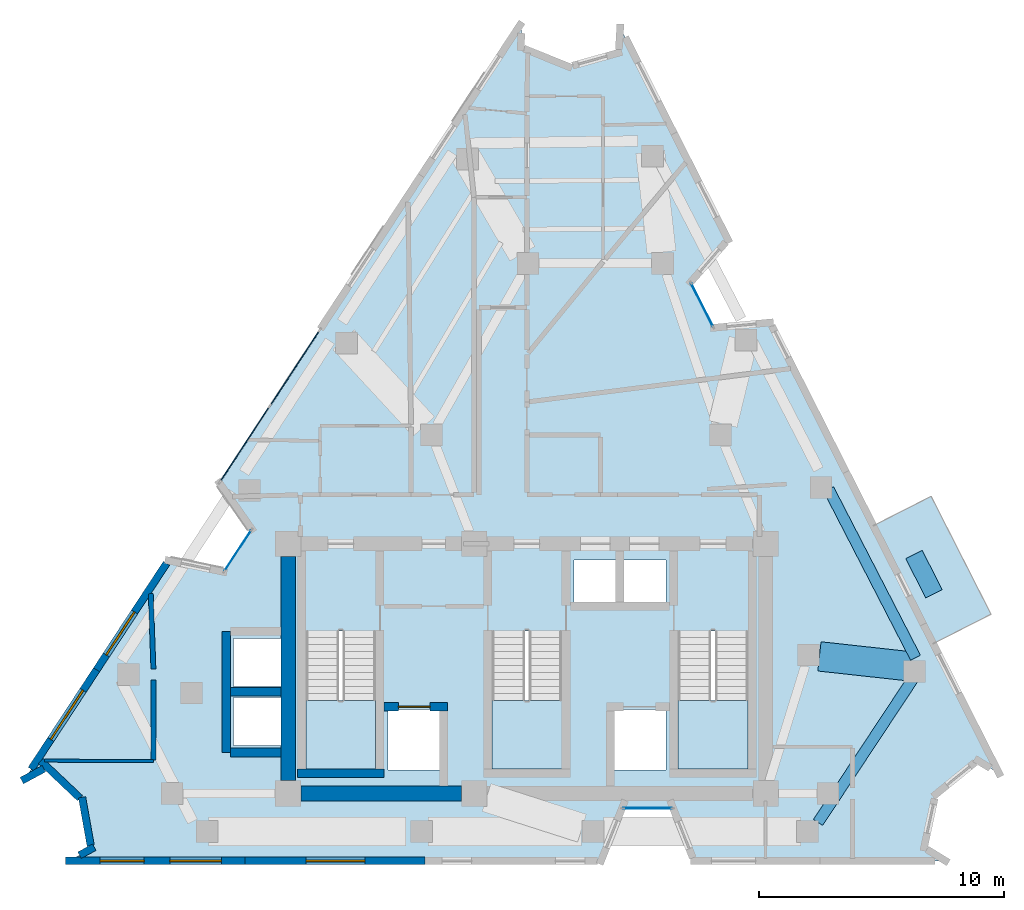
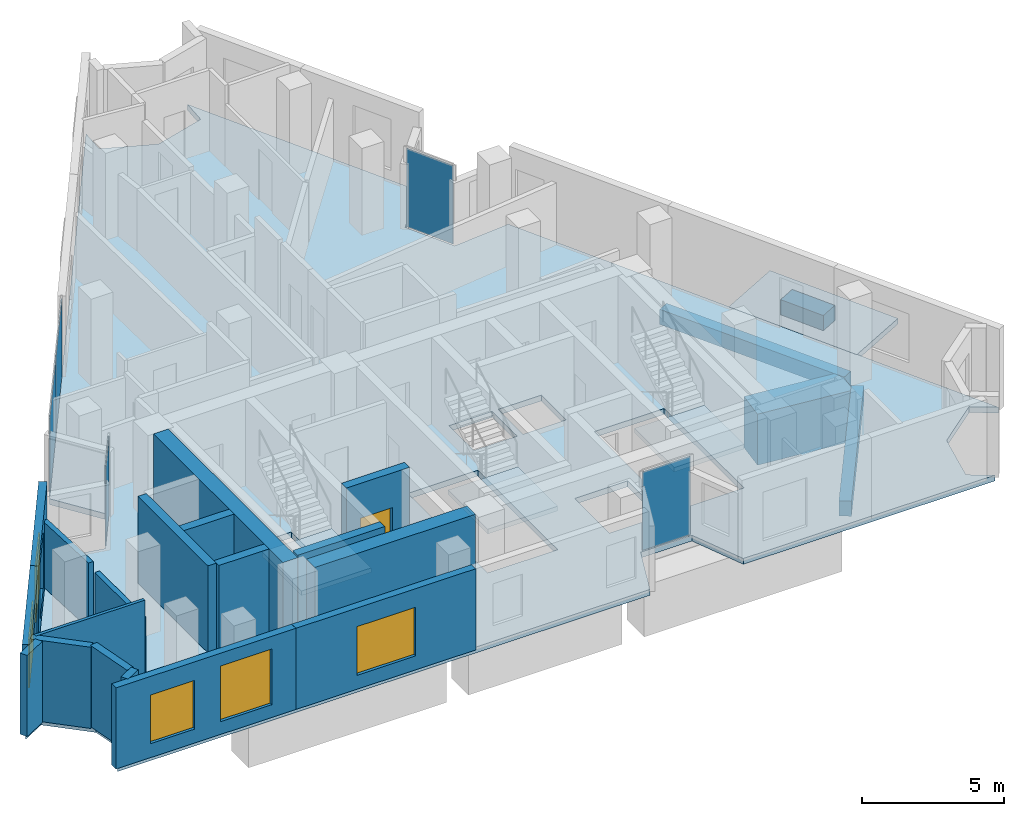
# One storey, part 4 of 10: 18 walls, 6 plates, 5 slabs, 5 windows, 3 beams, 1 door, 6 openings, 7 elements without a shape of their own.
"""IFC4 building model written with IfcOpenShell, lengths in metres."""

import ifcopenshell
import ifcopenshell.guid

model = None  # the IFC model being written
_history = None  # IfcOwnerHistory: only IFC2X3 demands one
_inside = {}  # id of a spatial element -> (the spatial element, [elements in it])
_under = {}  # id of a project, library or spatial element -> (it, [spatial elements below it])
_declared = {}  # id of a project -> (the project, [libraries it declares])
_typed = {}  # id of a type object -> (the type object, [elements of that type])
_made_of = {}  # id of a material, layer set ... -> (it, [elements and type objects made of it])


def new_model(schema):
    """Start an empty IFC model of exactly this schema.

    Asked for "IFC4X3", IfcOpenShell would pick the latest addendum, in which some entities
    have other attributes; the version numbers below select the first issue.
    IFC2X3 requires an IfcOwnerHistory on every rooted entity: one is made here for all.
    """
    global model, _history
    if schema == "IFC4X3":
        model = ifcopenshell.file(schema_version=(4, 3, 0, 0))
    else:
        model = ifcopenshell.file(schema=schema)
    _inside.clear()
    _under.clear()
    _declared.clear()
    _typed.clear()
    _made_of.clear()
    _history = None
    if model.schema == "IFC2X3":
        org = make("IfcOrganization", Name="unknown")
        user = make(
            "IfcPersonAndOrganization",
            ThePerson=make("IfcPerson", FamilyName="unknown"),
            TheOrganization=org,
        )
        app = make(
            "IfcApplication",
            ApplicationDeveloper=org,
            Version="unknown",
            ApplicationFullName="unknown",
            ApplicationIdentifier="unknown",
        )
        _history = make(
            "IfcOwnerHistory",
            OwningUser=user,
            OwningApplication=app,
            ChangeAction="ADDED",
            CreationDate=0,
        )
    return model


def make(cls, **values):
    """One entity of the class cls with the attributes given. An attribute that is None is left unset."""
    return model.create_entity(
        cls, **{name: value for name, value in values.items() if value is not None}
    )


def rooted(cls, **values):
    """An entity with a GlobalId (a new one), such as an element, a storey or a relation."""
    return make(cls, GlobalId=ifcopenshell.guid.new(), OwnerHistory=_history, **values)


def si_unit(unit_type, name, prefix=None):
    """IfcSIUnit, for example si_unit("LENGTHUNIT", "METRE", prefix="MILLI")."""
    return make("IfcSIUnit", UnitType=unit_type, Prefix=prefix, Name=name)


def assignment(units):
    """IfcUnitAssignment: the units of a project."""
    return None if units is None else make("IfcUnitAssignment", Units=units)


def point(xyz):
    """IfcCartesianPoint."""
    return None if xyz is None else make("IfcCartesianPoint", Coordinates=xyz)


def direction(xyz):
    """IfcDirection."""
    return None if xyz is None else make("IfcDirection", DirectionRatios=xyz)


def frame(location, z_axis=None, x_axis=None):
    """IfcAxis2Placement3D, a coordinate frame: its origin and axes. An axis left out is left unset."""
    return make(
        "IfcAxis2Placement3D",
        Location=point(location),
        Axis=direction(z_axis),
        RefDirection=direction(x_axis),
    )


def frame_2d(location, x_axis=None):
    """IfcAxis2Placement2D, a coordinate frame in the plane: its origin and x axis."""
    return make(
        "IfcAxis2Placement2D", Location=point(location), RefDirection=direction(x_axis)
    )


def origin():
    """The frame at (0, 0, 0) with its axes left unset."""
    return frame((0.0, 0.0, 0.0))


def origin_2d():
    """The frame at (0, 0) in the plane with its x axis left unset."""
    return frame_2d((0.0, 0.0))


def place(relative_to, where):
    """IfcLocalPlacement: puts the frame where relative to a parent placement (None: the world)."""
    return make(
        "IfcLocalPlacement", PlacementRelTo=relative_to, RelativePlacement=where
    )


def context(
    kind, dimensions, precision=None, world=None, true_north=None, identifier=None
):
    """IfcGeometricRepresentationContext, for example the 3D "Model" context."""
    return make(
        "IfcGeometricRepresentationContext",
        ContextIdentifier=identifier,
        ContextType=kind,
        CoordinateSpaceDimension=dimensions,
        Precision=precision,
        WorldCoordinateSystem=world,
        TrueNorth=true_north,
    )


def subcontext(parent, identifier, kind, view, scale=None):
    """IfcGeometricRepresentationSubContext, for example "Body" below "Model"."""
    return make(
        "IfcGeometricRepresentationSubContext",
        ContextIdentifier=identifier,
        ContextType=kind,
        ParentContext=parent,
        TargetScale=scale,
        TargetView=view,
    )


def project(units=None, contexts=None):
    """IfcProject with its units and contexts."""
    return rooted(
        "IfcProject",
        Name="project",
        RepresentationContexts=contexts,
        UnitsInContext=assignment(units),
    )


def spatial(cls, under=None, at=None, **own):
    """A site, building, storey or space (cls), placed at a placement, below another one or the project."""
    s = rooted(cls, ObjectPlacement=at, **own)
    if under is not None:
        _under.setdefault(under.id(), (under, []))[1].append(s)
    return s


def polyline(points):
    """IfcPolyline through the points."""
    return make("IfcPolyline", Points=[point(p) for p in points])


def profile(cls, at=None, kind="AREA", **sizes):
    """A parametric profile (cls). Its sizes go by their IFC names, for example OverallWidth=200.0."""
    return make(cls, ProfileType=kind, Position=at, **sizes)


def rectangle(**sizes):
    """IfcRectangleProfileDef."""
    return profile("IfcRectangleProfileDef", **sizes)


def outline(outer, holes=None, kind="AREA"):
    """IfcArbitraryClosedProfileDef: a profile drawn as a closed curve; with holes, ...WithVoids."""
    if holes is None:
        return make("IfcArbitraryClosedProfileDef", ProfileType=kind, OuterCurve=outer)
    return make(
        "IfcArbitraryProfileDefWithVoids",
        ProfileType=kind,
        OuterCurve=outer,
        InnerCurves=holes,
    )


def extrude(swept, where, along, depth):
    """IfcExtrudedAreaSolid: the profile swept, set in the frame where, extruded along a direction by depth."""
    return make(
        "IfcExtrudedAreaSolid",
        SweptArea=swept,
        Position=where,
        ExtrudedDirection=direction(along),
        Depth=depth,
    )


def shape(context_of_items, identifier, shape_type, items):
    """IfcShapeRepresentation: the items that make up one representation, for example the "Body"."""
    return make(
        "IfcShapeRepresentation",
        ContextOfItems=context_of_items,
        RepresentationIdentifier=identifier,
        RepresentationType=shape_type,
        Items=items,
    )


def material(Name=None, Category=None):
    """IfcMaterial."""
    return make("IfcMaterial", Name=Name, Category=Category)


def layer(
    of_material, thickness, ventilated=None, Name=None, Category=None, Priority=None
):
    """IfcMaterialLayer: one layer of a wall or slab, of a material (None: an air gap)."""
    return make(
        "IfcMaterialLayer",
        Material=of_material,
        LayerThickness=thickness,
        IsVentilated=ventilated,
        Name=Name,
        Category=Category,
        Priority=Priority,
    )


def layer_set(layers, Name=None):
    """IfcMaterialLayerSet."""
    return make("IfcMaterialLayerSet", MaterialLayers=layers, LayerSetName=Name)


def material_profile(
    of_material, cross_section, Name=None, Category=None, Priority=None
):
    """IfcMaterialProfile: a cross section and its material."""
    return make(
        "IfcMaterialProfile",
        Name=Name,
        Material=of_material,
        Profile=cross_section,
        Priority=Priority,
        Category=Category,
    )


def profile_set(profiles, Name=None, composite=None):
    """IfcMaterialProfileSet."""
    return make(
        "IfcMaterialProfileSet",
        Name=Name,
        MaterialProfiles=profiles,
        CompositeProfile=composite,
    )


def made_of(thing, what):
    """Note that an element or type object is made of a material, layer set ...; save() writes the relation."""
    if what is not None:
        _made_of.setdefault(what.id(), (what, []))[1].append(thing)
    return thing


def type_object(cls, material=None, **own):
    """A type object (cls), such as IfcWallType, which elements share."""
    return made_of(rooted(cls, **own), material)


def element(
    cls,
    number,
    at=None,
    inside=None,
    cuts=None,
    type_object=None,
    material=None,
    context=None,
    identifier="Body",
    shape_type=None,
    held_by="IfcProductDefinitionShape",
    body=None,
    shapes=None,
    **own,
):
    """One element of the class cls, such as IfcWall. Its Tag is "e" and its number.

    at: its placement. inside: the storey or other place that contains it. cuts: it is an
    opening in that element (IfcRelVoidsElement). A single representation is given by context,
    identifier, shape_type and body (its items); several are given by shapes. held_by: the class
    of the entity that holds the representations. save() writes the other relations.
    """
    e = rooted(cls, Tag="e%d" % number, ObjectPlacement=at, **own)
    if body is not None:
        shapes = [shape(context, identifier, shape_type, body)]
    if shapes is not None:
        e.Representation = make(held_by, Representations=shapes)
    if inside is not None:
        _inside.setdefault(inside.id(), (inside, []))[1].append(e)
    if cuts is not None:
        rooted(
            "IfcRelVoidsElement", RelatingBuildingElement=cuts, RelatedOpeningElement=e
        )
    if type_object is not None:
        _typed.setdefault(type_object.id(), (type_object, []))[1].append(e)
    return made_of(e, material)


def fill(opening, filler):
    """IfcRelFillsElement: the door or window that sits in an opening."""
    return rooted(
        "IfcRelFillsElement",
        RelatingOpeningElement=opening,
        RelatedBuildingElement=filler,
    )


def aggregate(whole, parts):
    """IfcRelAggregates: a whole, such as a stair, and the parts it consists of."""
    return rooted("IfcRelAggregates", RelatingObject=whole, RelatedObjects=parts)


def save(model, path):
    """Write the relations noted so far, then the file.

    IfcRelAggregates (storeys below a building ...), IfcRelContainedInSpatialStructure (elements
    in a storey), IfcRelDefinesByType, IfcRelAssociatesMaterial and IfcRelDeclares: one each for
    every whole, place, type object, material and project.
    """
    for whole, parts in _under.values():
        aggregate(whole, parts)
    for where, things in _inside.values():
        rooted(
            "IfcRelContainedInSpatialStructure",
            RelatedElements=things,
            RelatingStructure=where,
        )
    for kind, things in _typed.values():
        rooted("IfcRelDefinesByType", RelatedObjects=things, RelatingType=kind)
    for what, things in _made_of.values():
        rooted("IfcRelAssociatesMaterial", RelatedObjects=things, RelatingMaterial=what)
    for by, libraries in _declared.values():
        rooted("IfcRelDeclares", RelatingContext=by, RelatedDefinitions=libraries)
    model.write(path)


model = new_model("IFC4")

# Units and contexts
model_context = context("Model", 3, precision=1e-05, world=origin(), true_north=direction((0.0, 1.0)))
body_context = subcontext(model_context, "Body", "Model", "MODEL_VIEW")
ifc_project = project(units=[si_unit("LENGTHUNIT", "METRE"), si_unit("AREAUNIT", "SQUARE_METRE"), si_unit("VOLUMEUNIT", "CUBIC_METRE"), si_unit("PLANEANGLEUNIT", "RADIAN"), si_unit("MASSUNIT", "GRAM", prefix="KILO")], contexts=[model_context])

# Site, building, storey
site_placement = place(None, origin())
site = spatial("IfcSite", under=ifc_project, at=site_placement, CompositionType="ELEMENT")
building_placement = place(site_placement, origin())
building = spatial("IfcBuilding", under=site, at=building_placement, Name="Almagre Mirador Tower", CompositionType="ELEMENT")
storey_placement = place(building_placement, frame((0.0, 0.0, 229.5)))
storey = spatial("IfcBuildingStorey", under=building, at=storey_placement, Name="L59", CompositionType="ELEMENT", Elevation=229.5)

# Beams
ifc_material_1 = material(Name="Precast concrete C50/60", Category="concrete")
ifc_material_profile_1 = material_profile(ifc_material_1, rectangle(XDim=0.449951171875, YDim=0.64990234375, at=origin_2d()), Name="RC450X650")
ifc_profile_set_1 = profile_set([ifc_material_profile_1], Name="Precast concrete C50/60")
beam_type_1 = type_object("IfcBeamType", Name="BM-SPN-RC450X650", PredefinedType="SPANDREL", material=ifc_profile_set_1)
beam_1_placement = place(storey_placement, frame((49.1923828125, 3.375244140625, -0.574951171875), z_axis=(0.551908560309, 0.83390463547, 0.0), x_axis=(-0.83390463547, 0.551908560309, 0.0)))
element("IfcBeam", 1, at=beam_1_placement, inside=storey, type_object=beam_type_1, Name="L59 perimeter spandrel beam PC04-PC05", PredefinedType="SPANDREL", context=body_context, shape_type="SweptSolid", body=[
    extrude(rectangle(XDim=0.449951171875, YDim=0.64990234375, at=origin_2d()), origin(), (0.0, 0.0, 1.0), 7.132080078125),
])
beam_2_placement = place(storey_placement, frame((53.1708984375, 10.097900390625, -0.574951171875), z_axis=(-0.45829341544, 0.888800959363, 0.0), x_axis=(-0.888800959363, -0.45829341544, 0.0)))
element("IfcBeam", 2, at=beam_2_placement, inside=storey, type_object=beam_type_1, Name="L59 perimeter spandrel beam PC05-PC06", PredefinedType="SPANDREL", context=body_context, shape_type="SweptSolid", body=[
    extrude(rectangle(XDim=0.449951171875, YDim=0.64990234375, at=origin_2d()), origin(), (0.0, 0.0, 1.0), 7.740966796875),
])
ifc_material_2 = material(Name="Concrete C60/75", Category="concrete")
ifc_material_profile_2 = material_profile(ifc_material_2, rectangle(XDim=1.199951171875, YDim=2.199951171875, at=origin_2d()), Name="RC1200X2200")
ifc_profile_set_2 = profile_set([ifc_material_profile_2], Name="Concrete C60/75")
beam_type_2 = type_object("IfcBeamType", Name="BM-XFER-RC1200X2200", PredefinedType="BEAM", material=ifc_profile_set_2)
beam_3_placement = place(storey_placement, frame((52.9296875, 9.7470703125, -1.35009765625), z_axis=(-0.994041045224, 0.109006423709, 0.0), x_axis=(-0.109006423709, -0.994041045224, 0.0)))
element("IfcBeam", 3, at=beam_3_placement, inside=storey, type_object=beam_type_2, Name="L59 radial transfer girder PC05-MC3", PredefinedType="BEAM", context=body_context, shape_type="SweptSolid", body=[
    extrude(rectangle(XDim=1.199951171875, YDim=2.199951171875, at=origin_2d()), origin(), (0.0, 0.0, 1.0), 3.704345703125),
])

# Curtain wall, plate
ifc_material_3 = material(Name="Black anodized aluminium", Category="aluminium")
ifc_layer_1 = layer(ifc_material_3, 0.169921875)
ifc_layer_set_1 = layer_set([ifc_layer_1], Name="Black anodized aluminium")
curtain_wall_type_1 = type_object("IfcCurtainWallType", Name="CW-CRS-SYS", PredefinedType="NOTDEFINED", material=ifc_layer_set_1)
curtain_wall_1_placement = place(storey_placement, origin())
curtain_wall_1 = element("IfcCurtainWall", 4, at=curtain_wall_1_placement, inside=storey, type_object=curtain_wall_type_1, Name="L59 vertical crease curtain wall 01", PredefinedType="NOTDEFINED")
ifc_material_4 = material(Name="Dark solar-control laminated hurricane glass", Category="glass")
ifc_layer_2 = layer(ifc_material_4, 0.028076171875)
ifc_layer_set_2 = layer_set([ifc_layer_2], Name="Dark solar-control laminated hurricane glass")
plate_type_1 = type_object("IfcPlateType", Name="PLT-GLZ-28", PredefinedType="CURTAIN_PANEL", material=ifc_layer_set_2)
plate_1_placement = place(storey_placement, frame((25.49755859375, 14.473388671875, 0.06005859375), z_axis=(0.0, 0.0, 1.0), x_axis=(0.548834109267, 0.835931289344, 0.0)))
plate_1 = element("IfcPlate", 5, at=plate_1_placement, type_object=plate_type_1, Name="CW-4 panel 1.1", PredefinedType="CURTAIN_PANEL", context=body_context, shape_type="SweptSolid", body=[
    extrude(rectangle(XDim=1.969970703125, YDim=0.028076171875, at=origin_2d()), origin(), (0.0, 0.0, 1.0), 3.3798828125),
])
aggregate(curtain_wall_1, [plate_1])

curtain_wall_2_placement = place(storey_placement, origin())
curtain_wall_2 = element("IfcCurtainWall", 6, at=curtain_wall_2_placement, inside=storey, type_object=curtain_wall_type_1, Name="L59 vertical crease curtain wall 03", PredefinedType="NOTDEFINED")
plate_2_placement = place(storey_placement, frame((44.45703125, 24.5009765625, 0.06005859375), z_axis=(0.0, 0.0, 1.0), x_axis=(0.452563618183, -0.891732118686, 0.0)))
plate_2 = element("IfcPlate", 7, at=plate_2_placement, type_object=plate_type_1, Name="CW-4 panel 1.1", PredefinedType="CURTAIN_PANEL", context=body_context, shape_type="SweptSolid", body=[
    extrude(rectangle(XDim=1.97021484375, YDim=0.028076171875, at=origin_2d()), origin(), (0.0, 0.0, 1.0), 3.3798828125),
])
aggregate(curtain_wall_2, [plate_2])

curtain_wall_3_placement = place(storey_placement, origin())
curtain_wall_3 = element("IfcCurtainWall", 8, at=curtain_wall_3_placement, inside=storey, type_object=curtain_wall_type_1, Name="L59 vertical crease curtain wall 04", PredefinedType="NOTDEFINED")
plate_3_placement = place(storey_placement, frame((42.22802734375, 3.949951171875, 0.06005859375), z_axis=(0.0, 0.0, 1.0), x_axis=(-1.0, 0.0, 0.0)))
plate_3 = element("IfcPlate", 9, at=plate_3_placement, type_object=plate_type_1, Name="CW-4 panel 1.1", PredefinedType="CURTAIN_PANEL", context=body_context, shape_type="SweptSolid", body=[
    extrude(rectangle(XDim=1.969970703125, YDim=0.028076171875, at=origin_2d()), origin(), (0.0, 0.0, 1.0), 3.3798828125),
])
aggregate(curtain_wall_3, [plate_3])

# Curtain wall, plates
ifc_material_5 = material(Name="Black anodized aluminium", Category="aluminium")
ifc_layer_3 = layer(ifc_material_5, 0.199951171875)
ifc_layer_set_3 = layer_set([ifc_layer_3], Name="Black anodized aluminium")
curtain_wall_type_2 = type_object("IfcCurtainWallType", Name="CW-RES-H-SYS", PredefinedType="NOTDEFINED", material=ifc_layer_set_3)
curtain_wall_4_placement = place(storey_placement, origin())
curtain_wall_4 = element("IfcCurtainWall", 10, at=curtain_wall_4_placement, inside=storey, type_object=curtain_wall_type_2, Name="L59 curtain wall run 02", PredefinedType="NOTDEFINED")
ifc_material_6 = material(Name="Dark solar-control laminated hurricane glass", Category="glass")
ifc_layer_4 = layer(ifc_material_6, 0.035888671875)
ifc_layer_set_4 = layer_set([ifc_layer_4], Name="Dark solar-control laminated hurricane glass")
plate_type_2 = type_object("IfcPlateType", Name="PLT-GLZ-36", PredefinedType="CURTAIN_PANEL", material=ifc_layer_set_4)
plate_4_placement = place(storey_placement, frame((25.782958984375, 18.823486328125, 0.06494140625), z_axis=(0.0, 0.0, 1.0), x_axis=(0.54904731323, 0.835791270495, 0.0)))
plate_4 = element("IfcPlate", 11, at=plate_4_placement, type_object=plate_type_2, Name="CW-3 panel 1.1", PredefinedType="CURTAIN_PANEL", context=body_context, shape_type="SweptSolid", body=[
    extrude(rectangle(XDim=3.654541015625, YDim=0.035888671875, at=origin_2d()), origin(), (0.0, 0.0, 1.0), 3.3701171875),
])
plate_5_placement = place(storey_placement, frame((27.8251953125, 21.93212890625, 0.06494140625), z_axis=(0.0, 0.0, 1.0), x_axis=(0.54904731323, 0.835791270495, 0.0)))
plate_5 = element("IfcPlate", 12, at=plate_5_placement, type_object=plate_type_2, Name="CW-3 panel 2.1", PredefinedType="CURTAIN_PANEL", context=body_context, shape_type="SweptSolid", body=[
    extrude(rectangle(XDim=3.654541015625, YDim=0.035888671875, at=origin_2d()), origin(), (0.0, 0.0, 1.0), 3.3701171875),
])
aggregate(curtain_wall_4, [plate_4, plate_5])

# Plate
ifc_material_7 = material(Name="Precast concrete C50/60", Category="concrete")
ifc_layer_5 = layer(ifc_material_7, 0.64990234375)
ifc_layer_set_5 = layer_set([ifc_layer_5], Name="Precast concrete C50/60")
plate_type_3 = type_object("IfcPlateType", Name="PLT-PLANTER-1800", PredefinedType="USERDEFINED", material=ifc_layer_set_5)
plate_6_placement = place(storey_placement, frame((53.51708984375, 13.510009765625, 0.0), z_axis=(0.0, 0.0, 1.0), x_axis=(-0.452901591366, 0.891560513111, 0.0)))
element("IfcPlate", 13, at=plate_6_placement, inside=storey, type_object=plate_type_3, Name="L59 east balcony structural tree planter 1", ObjectType="PLANTER", PredefinedType="USERDEFINED", context=body_context, shape_type="SweptSolid", body=[
    extrude(rectangle(XDim=1.800048828125, YDim=0.75, at=origin_2d()), origin(), (0.0, 0.0, 1.0), 0.64990234375),
])

# Slabs
ifc_material_8 = material(Name="Concrete C45/55", Category="concrete")
ifc_layer_6 = layer(ifc_material_8, 0.239990234375)
ifc_layer_set_6 = layer_set([ifc_layer_6], Name="Concrete C45/55")
slab_type_1 = type_object("IfcSlabType", Name="SLB-BAL-240", PredefinedType="USERDEFINED", material=ifc_layer_set_6)
slab_1_placement = place(storey_placement, frame((0.0, 0.0, -0.239990234375)))
element("IfcSlab", 14, at=slab_1_placement, inside=storey, type_object=slab_type_1, Name="L59 east planted tree balcony 1", ObjectType="BALCONY", PredefinedType="USERDEFINED", context=body_context, shape_type="SweptSolid", body=[
    extrude(outline(polyline([(53.875, 10.6640625), (51.428955078125, 15.47802734375), (53.81005859375, 16.68701171875), (56.2548828125, 11.873046875), (53.875, 10.6640625)])), origin(), (0.0, 0.0, 1.0), 0.239990234375),
])
ifc_material_9 = material(Name="Concrete C45/55", Category="concrete")
ifc_layer_7 = layer(ifc_material_9, 0.25)
ifc_layer_set_7 = layer_set([ifc_layer_7], Name="Concrete C45/55")
slab_type_2 = type_object("IfcSlabType", Name="SLB-FLR-250", PredefinedType="FLOOR", material=ifc_layer_set_7)
slab_2_placement = place(storey_placement, frame((0.0, 0.0, -0.25)))
element("IfcSlab", 15, at=slab_2_placement, inside=storey, type_object=slab_type_2, Name="L59 structural floor slab", PredefinedType="FLOOR", context=body_context, shape_type="SweptSolid", body=[
    extrude(outline(polyline([(16.7958984375, 5.14306640625), (17.70703125, 5.635009765625), (19.158935546875, 4.260009765625), (19.510986328125, 2.291015625), (18.60009765625, 1.800048828125), (40.327880859375, 1.800048828125), (41.18310546875, 3.949951171875), (43.27294921875, 3.949951171875), (44.1279296875, 1.800048828125), (54.39990234375, 1.800048828125), (53.51806640625, 2.341064453125), (53.985107421875, 4.509033203125), (55.7060546875, 5.907958984375), (56.587890625, 5.365966796875), (47.23388671875, 23.781005859375), (44.929931640625, 23.569091796875), (43.98388671875, 25.43310546875), (45.512939453125, 27.1689453125), (41.112060546875, 35.833984375), (41.053955078125, 34.800048828125), (39.011962890625, 34.22802734375), (37.0458984375, 35.02294921875), (37.10400390625, 36.056884765625), (24.743896484375, 17.241943359375), (26.071044921875, 15.346923828125), (24.924072265625, 13.60009765625), (22.657958984375, 14.06591796875), (16.7958984375, 5.14306640625)]), holes=[polyline([(43.47509765625, 5.550048828125), (43.47509765625, 11.196044921875), (46.324951171875, 11.196044921875), (46.324951171875, 5.550048828125), (43.47509765625, 5.550048828125)]), polyline([(41.219970703125, 12.320068359375), (41.219970703125, 14.080078125), (42.97998046875, 14.080078125), (42.97998046875, 12.320068359375), (41.219970703125, 12.320068359375)]), polyline([(42.97998046875, 5.52001953125), (40.820068359375, 5.52001953125), (40.820068359375, 7.97998046875), (42.97998046875, 7.97998046875), (42.97998046875, 5.52001953125)]), polyline([(39.219970703125, 12.320068359375), (39.219970703125, 14.080078125), (40.97998046875, 14.080078125), (40.97998046875, 12.320068359375), (39.219970703125, 12.320068359375)]), polyline([(35.875, 5.550048828125), (35.875, 11.196044921875), (38.72509765625, 11.196044921875), (38.72509765625, 5.550048828125), (35.875, 5.550048828125)]), polyline([(33.780029296875, 5.52001953125), (31.6201171875, 5.52001953125), (31.6201171875, 7.97998046875), (33.780029296875, 7.97998046875), (33.780029296875, 5.52001953125)]), polyline([(28.27490234375, 5.550048828125), (28.27490234375, 11.196044921875), (31.125, 11.196044921875), (31.125, 5.550048828125), (28.27490234375, 5.550048828125)]), polyline([(27.3798828125, 6.52001953125), (25.320068359375, 6.52001953125), (25.320068359375, 8.47998046875), (27.3798828125, 8.47998046875), (27.3798828125, 6.52001953125)]), polyline([(27.3798828125, 8.919921875), (25.320068359375, 8.919921875), (25.320068359375, 10.8798828125), (27.3798828125, 10.8798828125), (27.3798828125, 8.919921875)])]), origin(), (0.0, 0.0, 1.0), 0.25),
])

# Stair, slab
ifc_material_10 = material(Name="Concrete C45/55", Category="concrete")
stair_type = type_object("IfcStairType", Name="STR-DL-3750", PredefinedType="HALF_TURN_STAIR", material=ifc_material_10)
stair_1_placement = place(storey_placement, origin())
stair_1 = element("IfcStair", 16, at=stair_1_placement, inside=storey, type_object=stair_type, Name="L59 Protected exit stair ST-1", PredefinedType="HALF_TURN_STAIR")
ifc_material_11 = material(Name="Concrete C45/55", Category="concrete")
ifc_layer_8 = layer(ifc_material_11, 0.199951171875)
ifc_layer_set_8 = layer_set([ifc_layer_8], Name="Concrete C45/55")
slab_type_3 = type_object("IfcSlabType", Name="SLB-LND-200", PredefinedType="LANDING", material=ifc_layer_set_8)
slab_3_placement = place(storey_placement, frame((0.0, 0.0, 1.675048828125)))
slab_3 = element("IfcSlab", 17, at=slab_3_placement, type_object=slab_type_3, Name="ST-1 landing 1", PredefinedType="LANDING", context=body_context, shape_type="SweptSolid", body=[
    extrude(outline(polyline([(28.27490234375, 8.35009765625), (28.27490234375, 5.550048828125), (31.125, 5.550048828125), (31.125, 8.35009765625), (28.27490234375, 8.35009765625)])), origin(), (0.0, 0.0, 1.0), 0.199951171875),
])
aggregate(stair_1, [slab_3])

stair_2_placement = place(storey_placement, origin())
stair_2 = element("IfcStair", 18, at=stair_2_placement, inside=storey, type_object=stair_type, Name="L59 Protected exit stair ST-2", PredefinedType="HALF_TURN_STAIR")
slab_4_placement = place(storey_placement, frame((0.0, 0.0, 1.675048828125)))
slab_4 = element("IfcSlab", 19, at=slab_4_placement, type_object=slab_type_3, Name="ST-2 landing 1", PredefinedType="LANDING", context=body_context, shape_type="SweptSolid", body=[
    extrude(outline(polyline([(35.875, 8.35009765625), (35.875, 5.550048828125), (38.72509765625, 5.550048828125), (38.72509765625, 8.35009765625), (35.875, 8.35009765625)])), origin(), (0.0, 0.0, 1.0), 0.199951171875),
])
aggregate(stair_2, [slab_4])

stair_3_placement = place(storey_placement, origin())
stair_3 = element("IfcStair", 20, at=stair_3_placement, inside=storey, type_object=stair_type, Name="L59 Protected exit stair ST-3", PredefinedType="HALF_TURN_STAIR")
slab_5_placement = place(storey_placement, frame((0.0, 0.0, 1.675048828125)))
slab_5 = element("IfcSlab", 21, at=slab_5_placement, type_object=slab_type_3, Name="ST-3 landing 1", PredefinedType="LANDING", context=body_context, shape_type="SweptSolid", body=[
    extrude(outline(polyline([(43.47509765625, 8.35009765625), (43.47509765625, 5.550048828125), (46.324951171875, 5.550048828125), (46.324951171875, 8.35009765625), (43.47509765625, 8.35009765625)])), origin(), (0.0, 0.0, 1.0), 0.199951171875),
])
aggregate(stair_3, [slab_5])

# Wall, opening, window
ifc_material_12 = material(Name="Precast concrete C50/60", Category="concrete")
ifc_layer_9 = layer(ifc_material_12, 0.300048828125)
ifc_layer_set_9 = layer_set([ifc_layer_9], Name="Precast concrete C50/60")
wall_type_1 = type_object("IfcWallType", Name="WAL-EXT-300", PredefinedType="SOLIDWALL", material=ifc_layer_set_9)
wall_1_placement = place(storey_placement, frame((33.132080078125, 1.800048828125, 0.0), z_axis=(0.0, 0.0, 1.0), x_axis=(-1.0, 0.0, 0.0)))
wall_1 = element("IfcWall", 22, at=wall_1_placement, inside=storey, type_object=wall_type_1, Name="L59 expressed almagre precast frame wall 25", PredefinedType="SOLIDWALL", context=body_context, shape_type="SweptSolid", body=[
    extrude(rectangle(XDim=7.336181640625, YDim=0.300048828125, at=frame_2d((3.66796875, 0.0))), origin(), (0.0, 0.0, 1.0), 3.5),
])
opening_1_placement = place(wall_1_placement, frame((2.449951171875, 0.0, 0.60009765625)))
opening_1 = element("IfcOpeningElement", 23, at=opening_1_placement, cuts=wall_1, Name="Opening WN-02", PredefinedType="OPENING", context=body_context, shape_type="SweptSolid", body=[
    extrude(rectangle(XDim=2.39990234375, YDim=2.10009765625, at=frame_2d((1.199951171875, 1.050048828125))), frame((0.0, 0.159902, 0.0), z_axis=(0.0, -1.0, 0.0), x_axis=(1.0, 0.0, 0.0)), (0.0, 0.0, 1.0), 0.320049),
])
ifc_material_13 = material(Name="Dark solar-control laminated hurricane glass", Category="glass")
window_type_1 = type_object("IfcWindowType", Name="WIN-2400X2100", PartitioningType="TRIPLE_PANEL_VERTICAL", PredefinedType="WINDOW", material=ifc_material_13)
window_1_placement = place(opening_1_placement, origin())
window_1 = element("IfcWindow", 24, at=window_1_placement, inside=storey, type_object=window_type_1, Name="L59 recessed hurricane window L59-RST-B", OverallHeight=2.10009765625, OverallWidth=2.39990234375, PartitioningType="SINGLE_PANEL", PredefinedType="WINDOW", context=body_context, shape_type="SweptSolid", body=[
    extrude(rectangle(XDim=2.39990234375, YDim=2.10009765625, at=frame_2d((1.199951171875, 1.050048828125))), frame((0.0, 0.030029296875, 0.0), z_axis=(0.0, -1.0, 0.0), x_axis=(1.0, 0.0, 0.0)), (0.0, 0.0, 1.0), 0.06005859375),
])
fill(opening_1, window_1)

# Wall, openings, windows
wall_2_placement = place(storey_placement, frame((25.7958984375, 1.800048828125, 0.0), z_axis=(0.0, 0.0, 1.0), x_axis=(-1.0, 0.0, 0.0)))
wall_2 = element("IfcWall", 25, at=wall_2_placement, inside=storey, type_object=wall_type_1, Name="L59 expressed almagre precast frame wall 26", PredefinedType="SOLIDWALL", context=body_context, shape_type="SweptSolid", body=[
    extrude(rectangle(XDim=7.3359375, YDim=0.300048828125, at=frame_2d((3.66796875, 0.0))), origin(), (0.0, 0.0, 1.0), 3.5),
])
opening_2_placement = place(wall_2_placement, frame((4.125, 0.0, 0.60009765625)))
opening_2 = element("IfcOpeningElement", 26, at=opening_2_placement, cuts=wall_2, Name="Opening WN-01", PredefinedType="OPENING", context=body_context, shape_type="SweptSolid", body=[
    extrude(rectangle(XDim=1.800048828125, YDim=2.10009765625, at=frame_2d((0.89990234375, 1.050048828125))), frame((0.0, 0.159902, 0.0), z_axis=(0.0, -1.0, 0.0), x_axis=(1.0, 0.0, 0.0)), (0.0, 0.0, 1.0), 0.320049),
])
opening_3_placement = place(wall_2_placement, frame((0.97509765625, 0.0, 0.550048828125)))
opening_3 = element("IfcOpeningElement", 27, at=opening_3_placement, cuts=wall_2, Name="Opening WN-05", PredefinedType="OPENING", context=body_context, shape_type="SweptSolid", body=[
    extrude(rectangle(XDim=2.10009765625, YDim=2.39990234375, at=frame_2d((1.050048828125, 1.199951171875))), frame((0.0, 0.159902, 0.0), z_axis=(0.0, -1.0, 0.0), x_axis=(1.0, 0.0, 0.0)), (0.0, 0.0, 1.0), 0.320049),
])
ifc_material_14 = material(Name="Dark solar-control laminated hurricane glass", Category="glass")
window_type_2 = type_object("IfcWindowType", Name="WIN-1800X2100", PartitioningType="DOUBLE_PANEL_VERTICAL", PredefinedType="WINDOW", material=ifc_material_14)
window_2_placement = place(opening_2_placement, origin())
window_2 = element("IfcWindow", 28, at=window_2_placement, inside=storey, type_object=window_type_2, Name="L59 recessed hurricane window L59-UA-BT", OverallHeight=2.10009765625, OverallWidth=1.800048828125, PartitioningType="SINGLE_PANEL", PredefinedType="WINDOW", context=body_context, shape_type="SweptSolid", body=[
    extrude(rectangle(XDim=1.800048828125, YDim=2.10009765625, at=frame_2d((0.89990234375, 1.050048828125))), frame((0.0, 0.030029296875, 0.0), z_axis=(0.0, -1.0, 0.0), x_axis=(1.0, 0.0, 0.0)), (0.0, 0.0, 1.0), 0.06005859375),
])
fill(opening_2, window_2)
ifc_material_15 = material(Name="Dark solar-control laminated hurricane glass", Category="glass")
window_type_3 = type_object("IfcWindowType", Name="WIN-2100X2400", PartitioningType="DOUBLE_PANEL_VERTICAL", PredefinedType="WINDOW", material=ifc_material_15)
window_3_placement = place(opening_3_placement, origin())
window_3 = element("IfcWindow", 29, at=window_3_placement, inside=storey, type_object=window_type_3, Name="L59 recessed hurricane window L59-RST-B", OverallHeight=2.39990234375, OverallWidth=2.10009765625, PartitioningType="SINGLE_PANEL", PredefinedType="WINDOW", context=body_context, shape_type="SweptSolid", body=[
    extrude(rectangle(XDim=2.10009765625, YDim=2.39990234375, at=frame_2d((1.050048828125, 1.199951171875))), frame((0.0, 0.030029296875, 0.0), z_axis=(0.0, -1.0, 0.0), x_axis=(1.0, 0.0, 0.0)), (0.0, 0.0, 1.0), 0.06005859375),
])
fill(opening_3, window_3)

# Walls
wall_3_placement = place(storey_placement, frame((19.031494140625, 2.032470703125, 0.0), z_axis=(0.0, 0.0, 1.0), x_axis=(0.880242040971, 0.474524972269, 0.0)))
element("IfcWall", 30, at=wall_3_placement, inside=storey, type_object=wall_type_1, Name="L59 expressed almagre precast frame wall 27", PredefinedType="SOLIDWALL", context=body_context, shape_type="SweptSolid", body=[
    extrude(rectangle(XDim=0.684814453125, YDim=0.300048828125, at=frame_2d((0.34228515625, 0.0))), origin(), (0.0, 0.0, 1.0), 3.5),
])
wall_4_placement = place(storey_placement, frame((19.488037109375, 2.4189453125, 0.0), z_axis=(0.0, 0.0, 1.0), x_axis=(-0.175870508619, 0.984413309641, 0.0)))
element("IfcWall", 31, at=wall_4_placement, inside=storey, type_object=wall_type_1, Name="L59 expressed almagre precast frame wall 28", PredefinedType="SOLIDWALL", context=body_context, shape_type="SweptSolid", body=[
    extrude(rectangle(XDim=2.010009765625, YDim=0.300048828125, at=frame_2d((1.0048828125, 0.0))), origin(), (0.0, 0.0, 1.0), 3.5),
])
wall_5_placement = place(storey_placement, frame((19.04638671875, 4.366455078125, 0.0), z_axis=(0.0, 0.0, 1.0), x_axis=(-0.726074994573, 0.687615519208, 0.0)))
element("IfcWall", 32, at=wall_5_placement, inside=storey, type_object=wall_type_1, Name="L59 expressed almagre precast frame wall 29", PredefinedType="SOLIDWALL", context=body_context, shape_type="SweptSolid", body=[
    extrude(rectangle(XDim=2.20263671875, YDim=0.300048828125, at=frame_2d((1.101318359375, 0.0))), origin(), (0.0, 0.0, 1.0), 3.5),
])
wall_6_placement = place(storey_placement, frame((17.57763671875, 5.565185546875, 0.0), z_axis=(0.0, 0.0, 1.0), x_axis=(-0.879829951612, -0.47528860311, 0.0)))
element("IfcWall", 33, at=wall_6_placement, inside=storey, type_object=wall_type_1, Name="L59 expressed almagre precast frame wall 30", PredefinedType="SOLIDWALL", context=body_context, shape_type="SweptSolid", body=[
    extrude(rectangle(XDim=1.0283203125, YDim=0.300048828125, at=frame_2d((0.51416015625, 0.0))), origin(), (0.0, 0.0, 1.0), 3.5),
])

# Wall, opening, window
wall_7_placement = place(storey_placement, frame((17.0595703125, 5.544189453125, 0.0), z_axis=(0.0, 0.0, 1.0), x_axis=(0.549074595426, 0.835773347659, 0.0)))
wall_7 = element("IfcWall", 34, at=wall_7_placement, inside=storey, type_object=wall_type_1, Name="L59 expressed almagre precast frame wall 31", PredefinedType="SOLIDWALL", context=body_context, shape_type="SweptSolid", body=[
    extrude(rectangle(XDim=4.858154296875, YDim=0.300048828125, at=frame_2d((2.42919921875, 0.0))), origin(), (0.0, 0.0, 1.0), 3.5),
])
opening_4_placement = place(wall_7_placement, frame((1.455078125, 0.0, 0.60009765625)))
opening_4 = element("IfcOpeningElement", 35, at=opening_4_placement, cuts=wall_7, Name="Opening WN-02", PredefinedType="OPENING", context=body_context, shape_type="SweptSolid", body=[
    extrude(rectangle(XDim=2.39990234375, YDim=2.10009765625, at=frame_2d((1.199951171875, 1.050048828125))), frame((0.0, 0.159902, 0.0), z_axis=(0.0, -1.0, 0.0), x_axis=(1.0, 0.0, 0.0)), (0.0, 0.0, 1.0), 0.320049),
])
window_4_placement = place(opening_4_placement, origin())
window_4 = element("IfcWindow", 36, at=window_4_placement, inside=storey, type_object=window_type_1, Name="L59 recessed hurricane window L59-UA-ST", OverallHeight=2.10009765625, OverallWidth=2.39990234375, PartitioningType="SINGLE_PANEL", PredefinedType="WINDOW", context=body_context, shape_type="SweptSolid", body=[
    extrude(rectangle(XDim=2.39990234375, YDim=2.10009765625, at=frame_2d((1.199951171875, 1.050048828125))), frame((0.0, 0.030029296875, 0.0), z_axis=(0.0, -1.0, 0.0), x_axis=(1.0, 0.0, 0.0)), (0.0, 0.0, 1.0), 0.06005859375),
])
fill(opening_4, window_4)

wall_8_placement = place(storey_placement, frame((19.72705078125, 9.6044921875, 0.0), z_axis=(0.0, 0.0, 1.0), x_axis=(0.549078635472, 0.835770693473, 0.0)))
wall_8 = element("IfcWall", 37, at=wall_8_placement, inside=storey, type_object=wall_type_1, Name="L59 expressed almagre precast frame wall 32", PredefinedType="SOLIDWALL", context=body_context, shape_type="SweptSolid", body=[
    extrude(rectangle(XDim=5.203125, YDim=0.300048828125, at=frame_2d((2.6015625, 0.0))), origin(), (0.0, 0.0, 1.0), 3.5),
])
opening_5_placement = place(wall_8_placement, frame((0.72509765625, 0.0, 0.550048828125)))
opening_5 = element("IfcOpeningElement", 38, at=opening_5_placement, cuts=wall_8, Name="Opening WN-05", PredefinedType="OPENING", context=body_context, shape_type="SweptSolid", body=[
    extrude(rectangle(XDim=2.10009765625, YDim=2.39990234375, at=frame_2d((1.050048828125, 1.199951171875))), frame((0.0, 0.159902, 0.0), z_axis=(0.0, -1.0, 0.0), x_axis=(1.0, 0.0, 0.0)), (0.0, 0.0, 1.0), 0.320049),
])
window_5_placement = place(opening_5_placement, origin())
window_5 = element("IfcWindow", 39, at=window_5_placement, inside=storey, type_object=window_type_3, Name="L59 recessed hurricane window L59-UA-ST", OverallHeight=2.39990234375, OverallWidth=2.10009765625, PartitioningType="SINGLE_PANEL", PredefinedType="WINDOW", context=body_context, shape_type="SweptSolid", body=[
    extrude(rectangle(XDim=2.10009765625, YDim=2.39990234375, at=frame_2d((1.050048828125, 1.199951171875))), frame((0.0, 0.030029296875, 0.0), z_axis=(0.0, -1.0, 0.0), x_axis=(1.0, 0.0, 0.0)), (0.0, 0.0, 1.0), 0.06005859375),
])
fill(opening_5, window_5)

# Walls
ifc_material_16 = material(Name="Gypsum acoustic stud partition", Category="other")
ifc_layer_10 = layer(ifc_material_16, 0.125)
ifc_layer_set_10 = layer_set([ifc_layer_10], Name="Gypsum acoustic stud partition")
wall_type_2 = type_object("IfcWallType", Name="WAL-PRT-125-UTL", PredefinedType="PARTITIONING", material=ifc_layer_set_10)
wall_9_placement = place(storey_placement, frame((17.60791015625, 5.89208984375, 0.0), z_axis=(0.0, 0.0, 1.0), x_axis=(0.999996224248, -0.002747997319, 0.0)))
element("IfcWall", 40, at=wall_9_placement, inside=storey, type_object=wall_type_2, Name="L59 interior partition 015", PredefinedType="PARTITIONING", context=body_context, shape_type="SweptSolid", body=[
    extrude(rectangle(XDim=4.442138671875, YDim=0.125, at=frame_2d((2.22119140625, 0.0))), origin(), (0.0, 0.0, 1.0), 3.5),
])
ifc_material_17 = material(Name="Gypsum acoustic stud partition", Category="other")
ifc_layer_11 = layer(ifc_material_17, 0.199951171875)
ifc_layer_set_11 = layer_set([ifc_layer_11], Name="Gypsum acoustic stud partition")
wall_type_3 = type_object("IfcWallType", Name="WAL-PRT-200-EI60", PredefinedType="PARTITIONING", material=ifc_layer_set_11)
wall_10_placement = place(storey_placement, frame((22.050048828125, 5.927490234375, 0.0), z_axis=(0.0, 0.0, 1.0), x_axis=(0.0, 1.0, 0.0)))
element("IfcWall", 41, at=wall_10_placement, inside=storey, type_object=wall_type_3, Name="L59 interior partition 016", PredefinedType="PARTITIONING", context=body_context, shape_type="SweptSolid", body=[
    extrude(rectangle(XDim=3.262451171875, YDim=0.199951171875, at=frame_2d((1.63134765625, 0.0))), origin(), (0.0, 0.0, 1.0), 2.68505859375),
])
wall_11_placement = place(storey_placement, frame((22.050048828125, 9.6298828125, 0.0), z_axis=(0.0, 0.0, 1.0), x_axis=(-0.03508140372, 0.999384458111, 0.0)))
element("IfcWall", 42, at=wall_11_placement, inside=storey, type_object=wall_type_3, Name="L59 interior partition 017", PredefinedType="PARTITIONING", context=body_context, shape_type="SweptSolid", body=[
    extrude(rectangle(XDim=3.0830078125, YDim=0.199951171875, at=frame_2d((1.54150390625, 0.0))), origin(), (0.0, 0.0, 1.0), 2.820068359375),
])
ifc_material_18 = material(Name="Concrete C60/75", Category="concrete")
ifc_layer_12 = layer(ifc_material_18, 0.35009765625)
ifc_layer_set_12 = layer_set([ifc_layer_12], Name="Concrete C60/75")
wall_type_4 = type_object("IfcWallType", Name="WAL-SHF-350", PredefinedType="SOLIDWALL", material=ifc_layer_set_12)
wall_12_placement = place(storey_placement, frame((27.925048828125, 5.375, 0.0), z_axis=(0.0, 0.0, 1.0), x_axis=(1.0, 0.0, 0.0)))
element("IfcWall", 43, at=wall_12_placement, inside=storey, type_object=wall_type_4, Name="L59 shaft wall ST1-S", PredefinedType="SOLIDWALL", context=body_context, shape_type="SweptSolid", body=[
    extrude(rectangle(XDim=3.550048828125, YDim=0.35009765625, at=frame_2d((1.77490234375, 0.0))), origin(), (0.0, 0.0, 1.0), 3.75),
])

# Wall, opening, door
wall_13_placement = place(storey_placement, frame((31.47509765625, 8.10009765625, 0.0), z_axis=(0.0, 0.0, 1.0), x_axis=(1.0, 0.0, 0.0)))
wall_13 = element("IfcWall", 44, at=wall_13_placement, inside=storey, type_object=wall_type_4, Name="L59 shaft wall FSAE1-N", PredefinedType="SOLIDWALL", context=body_context, shape_type="SweptSolid", body=[
    extrude(rectangle(XDim=2.574951171875, YDim=0.35009765625, at=frame_2d((1.28759765625, 0.0))), origin(), (0.0, 0.0, 1.0), 3.75),
])
opening_6_placement = place(wall_13_placement, frame((0.574951171875, 0.0, 0.0)))
opening_6 = element("IfcOpeningElement", 45, at=opening_6_placement, cuts=wall_13, Name="Opening LD-03", PredefinedType="OPENING", context=body_context, shape_type="SweptSolid", body=[
    extrude(rectangle(XDim=1.300048828125, YDim=2.25, at=frame_2d((0.64990234375, 1.125))), frame((0.0, 0.185049, 0.0), z_axis=(0.0, -1.0, 0.0), x_axis=(1.0, 0.0, 0.0)), (0.0, 0.0, 1.0), 0.370098),
])
ifc_material_19 = material(Name="Hollow stainless steel", Category="steel")
door_type = type_object("IfcDoorType", Name="DOR-LD-1300X2250", OperationType="DOUBLE_DOOR_SLIDING", PredefinedType="DOOR", material=ifc_material_19)
door_placement = place(opening_6_placement, origin())
door = element("IfcDoor", 46, at=door_placement, inside=storey, type_object=door_type, Name="DR-1826 L59 FSAE-1 lift landing door", OperationType="DOUBLE_DOOR_SLIDING", OverallHeight=2.25, OverallWidth=1.300048828125, PredefinedType="DOOR", context=body_context, shape_type="SweptSolid", body=[
    extrude(rectangle(XDim=1.300048828125, YDim=2.25, at=frame_2d((0.64990234375, 1.125))), frame((0.0, 0.02490234375, 0.0), z_axis=(0.0, -1.0, 0.0), x_axis=(1.0, 0.0, 0.0)), (0.0, 0.0, 1.0), 0.050048828125),
])
fill(opening_6, door)

# Walls
wall_14_placement = place(storey_placement, frame((25.02490234375, 6.22509765625, 0.0), z_axis=(0.0, 0.0, 1.0), x_axis=(0.0, 1.0, 0.0)))
element("IfcWall", 47, at=wall_14_placement, inside=storey, type_object=wall_type_4, Name="L59 shaft wall OL-W", PredefinedType="SOLIDWALL", context=body_context, shape_type="SweptSolid", body=[
    extrude(rectangle(XDim=4.949951171875, YDim=0.35009765625, at=frame_2d((2.47509765625, 0.0))), origin(), (0.0, 0.0, 1.0), 3.75),
])
for number, where, z_axis, x_axis, name in (
    (48, (25.199951171875, 6.22509765625, 0.0), (0.0, 0.0, 1.0), (1.0, 0.0, 0.0), "L59 shaft wall OL-S"),
    (49, (25.199951171875, 8.699951171875, 0.0), (0.0, 0.0, 1.0), (1.0, 0.0, 0.0), "L59 shaft wall OL-M"),
):
    element("IfcWall", number, at=place(storey_placement, frame(where, z_axis=z_axis, x_axis=x_axis)), inside=storey, type_object=wall_type_4, Name=name, PredefinedType="SOLIDWALL", context=body_context, shape_type="SweptSolid", body=[
        extrude(rectangle(XDim=2.050048828125, YDim=0.35009765625, at=frame_2d((1.02490234375, 0.0))), origin(), (0.0, 0.0, 1.0), 3.75),
    ])
ifc_material_20 = material(Name="Concrete C60/75", Category="concrete")
ifc_layer_13 = layer(ifc_material_20, 0.60009765625)
ifc_layer_set_13 = layer_set([ifc_layer_13], Name="Concrete C60/75")
wall_type_5 = type_object("IfcWallType", Name="WAL-SHR-600", PredefinedType="SHEAR", material=ifc_layer_set_13)
wall_15_placement = place(storey_placement, frame((28.074951171875, 4.550048828125, 0.0), z_axis=(0.0, 0.0, 1.0), x_axis=(1.0, 0.0, 0.0)))
element("IfcWall", 50, at=wall_15_placement, inside=storey, type_object=wall_type_5, Name="L59 core shear wall S1", PredefinedType="SHEAR", context=body_context, shape_type="SweptSolid", body=[
    extrude(rectangle(XDim=6.550048828125, YDim=0.60009765625, at=frame_2d((3.27490234375, 0.0))), origin(), (0.0, 0.0, 1.0), 3.75),
])
wall_16_placement = place(storey_placement, frame((27.550048828125, 5.074951171875, 0.0), z_axis=(0.0, 0.0, 1.0), x_axis=(0.0, 1.0, 0.0)))
element("IfcWall", 51, at=wall_16_placement, inside=storey, type_object=wall_type_5, Name="L59 core shear wall W1", PredefinedType="SHEAR", context=body_context, shape_type="SweptSolid", body=[
    extrude(rectangle(XDim=9.150146484375, YDim=0.60009765625, at=frame_2d((4.5751953125, 0.0))), origin(), (0.0, 0.0, 1.0), 3.75),
])

save(model, "model.ifc")
